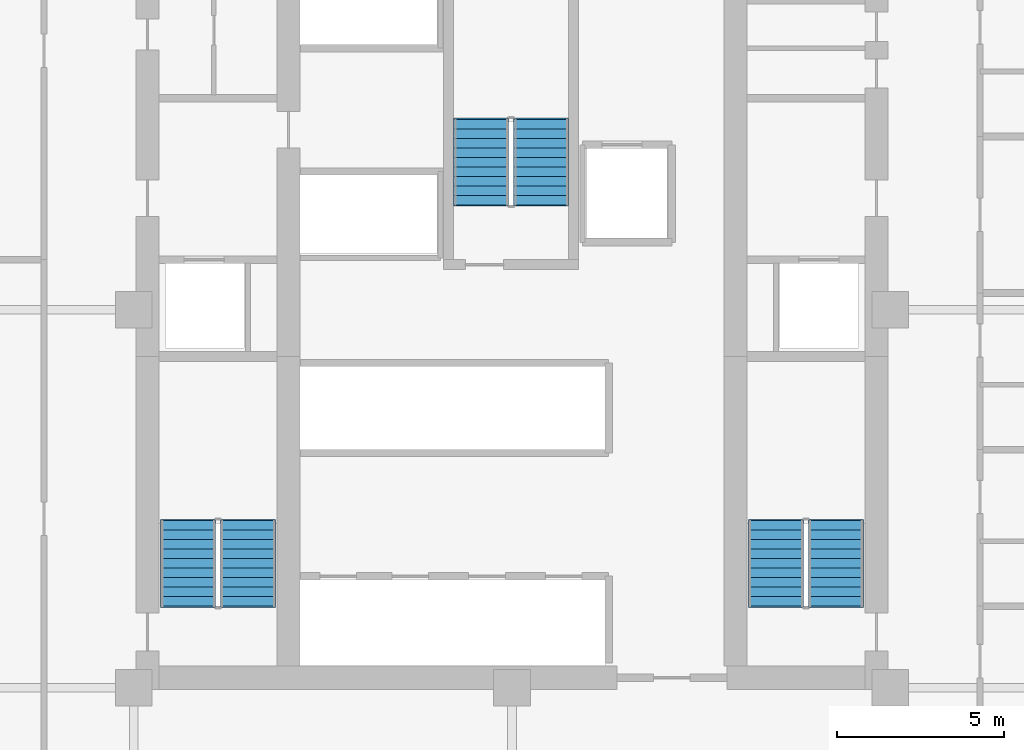
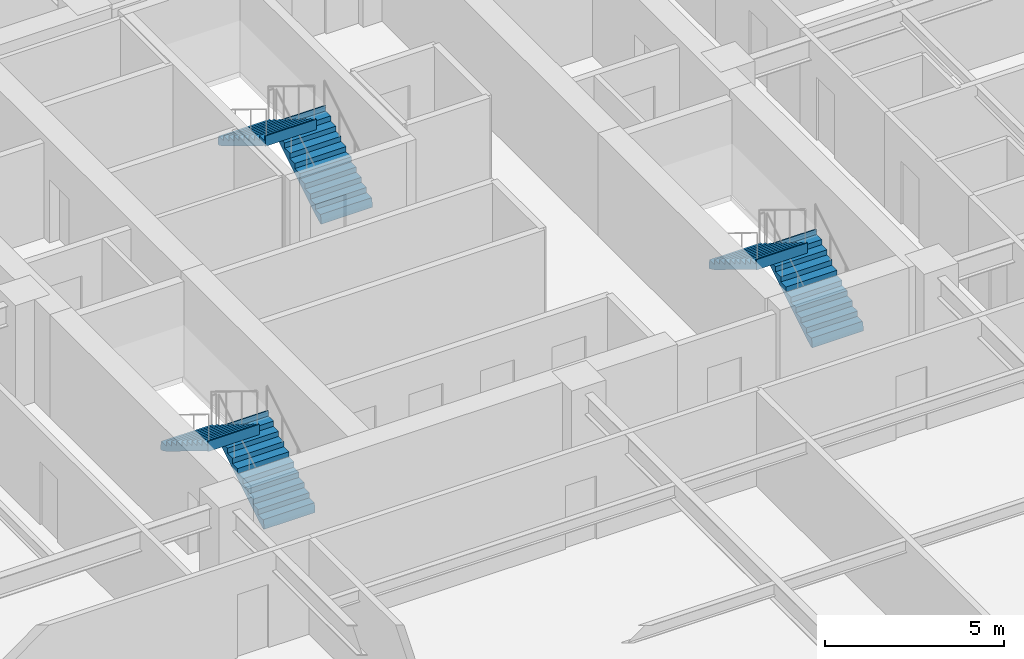
# One storey, part 6 of 7: 6 stair flights, 3 elements without a shape of their own.
"""IFC4 building model written with IfcOpenShell, lengths in metres."""

from ifc_helpers import new_model, si_unit, direction, frame, origin, place, context, subcontext, project, spatial, polyline, outline, extrude, material, type_object, element, aggregate, save


model = new_model("IFC4")

# Units and contexts
model_context = context("Model", 3, precision=1e-05, world=origin(), true_north=direction((0.0, 1.0)))
body_context = subcontext(model_context, "Body", "Model", "MODEL_VIEW")
ifc_project = project(units=[si_unit("LENGTHUNIT", "METRE"), si_unit("AREAUNIT", "SQUARE_METRE"), si_unit("VOLUMEUNIT", "CUBIC_METRE"), si_unit("PLANEANGLEUNIT", "RADIAN"), si_unit("MASSUNIT", "GRAM", prefix="KILO")], contexts=[model_context])

# Site, building, storey
site_placement = place(None, origin())
site = spatial("IfcSite", under=ifc_project, at=site_placement, CompositionType="ELEMENT")
building_placement = place(site_placement, origin())
building = spatial("IfcBuilding", under=site, at=building_placement, Name="Nhamokura Convention Tower", CompositionType="ELEMENT")
storey_placement = place(building_placement, frame((0.0, 0.0, 73.85009765625)))
storey = spatial("IfcBuildingStorey", under=building, at=storey_placement, Name="L17", CompositionType="ELEMENT", Elevation=73.85009765625)

# Stair, stair flights
ifc_material_1 = material(Name="Concrete C40/50", Category="concrete")
stair_type = type_object("IfcStairType", Name="TowerCoreStair_1650", PredefinedType="HALF_TURN_STAIR", material=ifc_material_1)
stair_1_placement = place(storey_placement, origin())
stair_1 = element("IfcStair", 1, at=stair_1_placement, inside=storey, type_object=stair_type, Name="L17 West Core Smokeproof Stair ST-01", PredefinedType="HALF_TURN_STAIR")
ifc_material_2 = material(Name="Concrete C40/50", Category="concrete")
stair_flight_type = type_object("IfcStairFlightType", Name="TowerCoreStair_1650_Flight", PredefinedType="STRAIGHT", material=ifc_material_2)
stair_flight_1_placement = place(storey_placement, frame((24.074951171875, 23.10009765625, 0.0), z_axis=(0.0, 0.0, 1.0), x_axis=(0.0, 1.0, 0.0)))
stair_flight_1 = element("IfcStairFlight", 2, at=stair_flight_1_placement, type_object=stair_flight_type, Name="ST-01 flight 1", NumberOfRisers=10, NumberOfTreads=9, PredefinedType="STRAIGHT", RiserHeight=0.175, TreadLength=0.285, context=body_context, shape_type="SweptSolid", body=[
    extrude(outline(polyline([(-0.0419921875, 0.0), (0.0, 0.175048828125), (0.284912109375, 0.175048828125), (0.284912109375, 0.35009765625), (0.570068359375, 0.35009765625), (0.570068359375, 0.52490234375), (0.85498046875, 0.52490234375), (0.85498046875, 0.699951171875), (1.139892578125, 0.699951171875), (1.139892578125, 0.875), (1.425048828125, 0.875), (1.425048828125, 1.050048828125), (1.7099609375, 1.050048828125), (1.7099609375, 1.22509765625), (1.9951171875, 1.22509765625), (1.9951171875, 1.39990234375), (2.280029296875, 1.39990234375), (2.280029296875, 1.574951171875), (2.56494140625, 1.574951171875), (2.56494140625, 1.75), (2.60693359375, 1.75), (2.60693359375, 1.399169921875), (2.56494140625, 1.399169921875), (0.286376953125, 0.0), (0.02001953125, -0.1298828125), (-0.0419921875, -0.1298828125), (-0.0419921875, 0.0)])), frame((0.0, 0.824951171875, 0.0), z_axis=(0.0, -1.0, 0.0), x_axis=(1.0, 0.0, 0.0)), (0.0, 0.0, 1.0), 1.64990234375),
])
stair_flight_2_placement = place(storey_placement, frame((22.27490234375, 25.6650390625, 1.75), z_axis=(0.0, 0.0, 1.0), x_axis=(0.0, -1.0, 0.0)))
stair_flight_2 = element("IfcStairFlight", 3, at=stair_flight_2_placement, type_object=stair_flight_type, Name="ST-01 flight 2", NumberOfRisers=10, NumberOfTreads=9, PredefinedType="STRAIGHT", RiserHeight=0.175, TreadLength=0.285, context=body_context, shape_type="SweptSolid", body=[
    extrude(outline(polyline([(-0.0419921875, 0.0), (0.0, 0.175048828125), (0.284912109375, 0.175048828125), (0.284912109375, 0.35009765625), (0.570068359375, 0.35009765625), (0.570068359375, 0.52490234375), (0.85498046875, 0.52490234375), (0.85498046875, 0.699951171875), (1.139892578125, 0.699951171875), (1.139892578125, 0.875), (1.425048828125, 0.875), (1.425048828125, 1.050048828125), (1.7099609375, 1.050048828125), (1.7099609375, 1.22509765625), (1.9951171875, 1.22509765625), (1.9951171875, 1.39990234375), (2.280029296875, 1.39990234375), (2.280029296875, 1.574951171875), (2.56494140625, 1.574951171875), (2.56494140625, 1.75), (2.60693359375, 1.75), (2.60693359375, 1.399169921875), (2.56494140625, 1.399169921875), (0.286376953125, 0.0), (0.02001953125, -0.1298828125), (-0.0419921875, -0.1298828125), (-0.0419921875, 0.0)])), frame((0.0, 0.824951171875, 0.0), z_axis=(0.0, -1.0, 0.0), x_axis=(1.0, 0.0, 0.0)), (0.0, 0.0, 1.0), 1.64990234375),
])
aggregate(stair_1, [stair_flight_1, stair_flight_2])

stair_2_placement = place(storey_placement, origin())
stair_2 = element("IfcStair", 4, at=stair_2_placement, inside=storey, type_object=stair_type, Name="L17 East Core Smokeproof Stair ST-02", PredefinedType="HALF_TURN_STAIR")
stair_flight_3_placement = place(storey_placement, frame((41.72509765625, 23.10009765625, 0.0), z_axis=(0.0, 0.0, 1.0), x_axis=(0.0, 1.0, 0.0)))
stair_flight_3 = element("IfcStairFlight", 5, at=stair_flight_3_placement, type_object=stair_flight_type, Name="ST-02 flight 1", NumberOfRisers=10, NumberOfTreads=9, PredefinedType="STRAIGHT", RiserHeight=0.175, TreadLength=0.285, context=body_context, shape_type="SweptSolid", body=[
    extrude(outline(polyline([(-0.0419921875, 0.0), (0.0, 0.175048828125), (0.284912109375, 0.175048828125), (0.284912109375, 0.35009765625), (0.570068359375, 0.35009765625), (0.570068359375, 0.52490234375), (0.85498046875, 0.52490234375), (0.85498046875, 0.699951171875), (1.139892578125, 0.699951171875), (1.139892578125, 0.875), (1.425048828125, 0.875), (1.425048828125, 1.050048828125), (1.7099609375, 1.050048828125), (1.7099609375, 1.22509765625), (1.9951171875, 1.22509765625), (1.9951171875, 1.39990234375), (2.280029296875, 1.39990234375), (2.280029296875, 1.574951171875), (2.56494140625, 1.574951171875), (2.56494140625, 1.75), (2.60693359375, 1.75), (2.60693359375, 1.399169921875), (2.56494140625, 1.399169921875), (0.286376953125, 0.0), (0.02001953125, -0.1298828125), (-0.0419921875, -0.1298828125), (-0.0419921875, 0.0)])), frame((0.0, 0.824951171875, 0.0), z_axis=(0.0, -1.0, 0.0), x_axis=(1.0, 0.0, 0.0)), (0.0, 0.0, 1.0), 1.64990234375),
])
stair_flight_4_placement = place(storey_placement, frame((39.925048828125, 25.6650390625, 1.75), z_axis=(0.0, 0.0, 1.0), x_axis=(0.0, -1.0, 0.0)))
stair_flight_4 = element("IfcStairFlight", 6, at=stair_flight_4_placement, type_object=stair_flight_type, Name="ST-02 flight 2", NumberOfRisers=10, NumberOfTreads=9, PredefinedType="STRAIGHT", RiserHeight=0.175, TreadLength=0.285, context=body_context, shape_type="SweptSolid", body=[
    extrude(outline(polyline([(-0.0419921875, 0.0), (0.0, 0.175048828125), (0.284912109375, 0.175048828125), (0.284912109375, 0.35009765625), (0.570068359375, 0.35009765625), (0.570068359375, 0.52490234375), (0.85498046875, 0.52490234375), (0.85498046875, 0.699951171875), (1.139892578125, 0.699951171875), (1.139892578125, 0.875), (1.425048828125, 0.875), (1.425048828125, 1.050048828125), (1.7099609375, 1.050048828125), (1.7099609375, 1.22509765625), (1.9951171875, 1.22509765625), (1.9951171875, 1.39990234375), (2.280029296875, 1.39990234375), (2.280029296875, 1.574951171875), (2.56494140625, 1.574951171875), (2.56494140625, 1.75), (2.60693359375, 1.75), (2.60693359375, 1.399169921875), (2.56494140625, 1.399169921875), (0.286376953125, 0.0), (0.02001953125, -0.1298828125), (-0.0419921875, -0.1298828125), (-0.0419921875, 0.0)])), frame((0.0, 0.824951171875, 0.0), z_axis=(0.0, -1.0, 0.0), x_axis=(1.0, 0.0, 0.0)), (0.0, 0.0, 1.0), 1.64990234375),
])
aggregate(stair_2, [stair_flight_3, stair_flight_4])

stair_3_placement = place(storey_placement, origin())
stair_3 = element("IfcStair", 7, at=stair_3_placement, inside=storey, type_object=stair_type, Name="L17 North Core Smokeproof Stair ST-03", PredefinedType="HALF_TURN_STAIR")
stair_flight_5_placement = place(storey_placement, frame((32.875, 35.14990234375, 0.0), z_axis=(0.0, 0.0, 1.0), x_axis=(0.0, 1.0, 0.0)))
stair_flight_5 = element("IfcStairFlight", 8, at=stair_flight_5_placement, type_object=stair_flight_type, Name="ST-03 flight 1", NumberOfRisers=10, NumberOfTreads=9, PredefinedType="STRAIGHT", RiserHeight=0.175, TreadLength=0.285, context=body_context, shape_type="SweptSolid", body=[
    extrude(outline(polyline([(-0.0419921875, 0.0), (0.0, 0.175048828125), (0.284912109375, 0.175048828125), (0.284912109375, 0.35009765625), (0.570068359375, 0.35009765625), (0.570068359375, 0.52490234375), (0.85498046875, 0.52490234375), (0.85498046875, 0.699951171875), (1.139892578125, 0.699951171875), (1.139892578125, 0.875), (1.425048828125, 0.875), (1.425048828125, 1.050048828125), (1.7099609375, 1.050048828125), (1.7099609375, 1.22509765625), (1.9951171875, 1.22509765625), (1.9951171875, 1.39990234375), (2.280029296875, 1.39990234375), (2.280029296875, 1.574951171875), (2.56494140625, 1.574951171875), (2.56494140625, 1.75), (2.60693359375, 1.75), (2.60693359375, 1.399169921875), (2.56494140625, 1.399169921875), (0.286376953125, 0.0), (0.02001953125, -0.1298828125), (-0.0419921875, -0.1298828125), (-0.0419921875, 0.0)])), frame((0.0, 0.824951171875, 0.0), z_axis=(0.0, -1.0, 0.0), x_axis=(1.0, 0.0, 0.0)), (0.0, 0.0, 1.0), 1.64990234375),
])
stair_flight_6_placement = place(storey_placement, frame((31.074951171875, 37.715087890625, 1.75), z_axis=(0.0, 0.0, 1.0), x_axis=(0.0, -1.0, 0.0)))
stair_flight_6 = element("IfcStairFlight", 9, at=stair_flight_6_placement, type_object=stair_flight_type, Name="ST-03 flight 2", NumberOfRisers=10, NumberOfTreads=9, PredefinedType="STRAIGHT", RiserHeight=0.175, TreadLength=0.285, context=body_context, shape_type="SweptSolid", body=[
    extrude(outline(polyline([(-0.0419921875, 0.0), (0.0, 0.175048828125), (0.284912109375, 0.175048828125), (0.284912109375, 0.35009765625), (0.570068359375, 0.35009765625), (0.570068359375, 0.52490234375), (0.85498046875, 0.52490234375), (0.85498046875, 0.699951171875), (1.139892578125, 0.699951171875), (1.139892578125, 0.875), (1.425048828125, 0.875), (1.425048828125, 1.050048828125), (1.7099609375, 1.050048828125), (1.7099609375, 1.22509765625), (1.9951171875, 1.22509765625), (1.9951171875, 1.39990234375), (2.280029296875, 1.39990234375), (2.280029296875, 1.574951171875), (2.56494140625, 1.574951171875), (2.56494140625, 1.75), (2.60693359375, 1.75), (2.60693359375, 1.399169921875), (2.56494140625, 1.399169921875), (0.286376953125, 0.0), (0.02001953125, -0.1298828125), (-0.0419921875, -0.1298828125), (-0.0419921875, 0.0)])), frame((0.0, 0.824951171875, 0.0), z_axis=(0.0, -1.0, 0.0), x_axis=(1.0, 0.0, 0.0)), (0.0, 0.0, 1.0), 1.64990234375),
])
aggregate(stair_3, [stair_flight_5, stair_flight_6])

save(model, "model.ifc")
